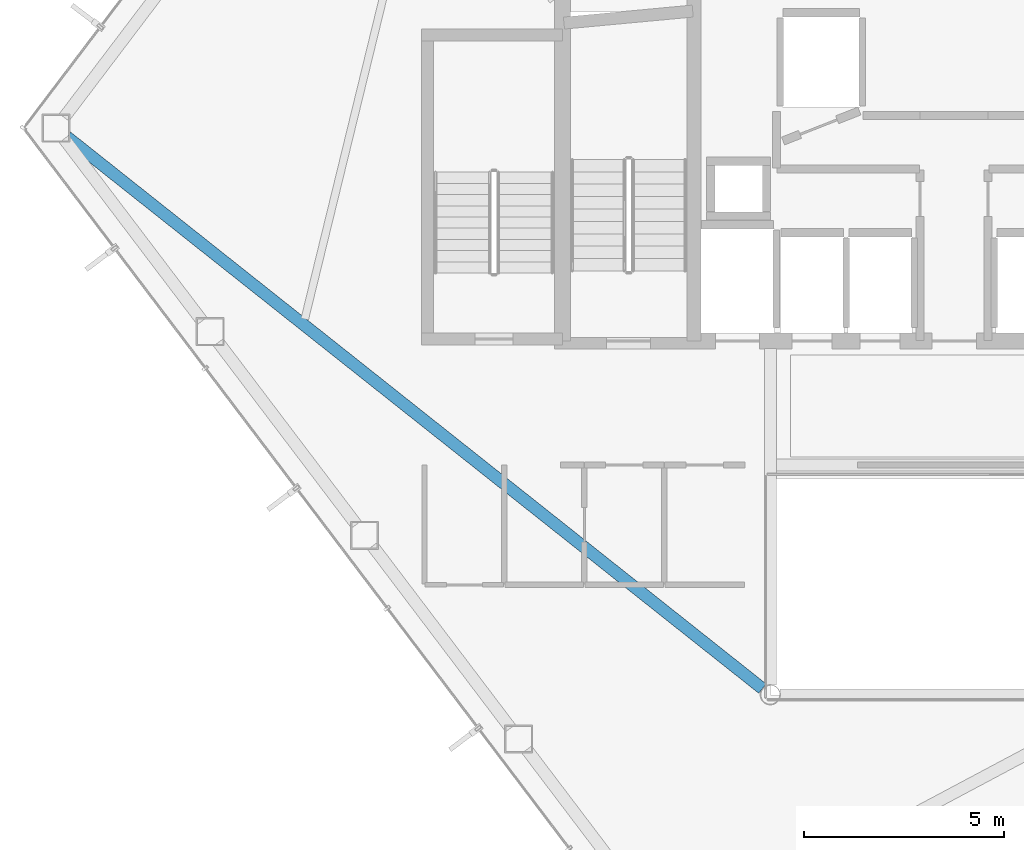
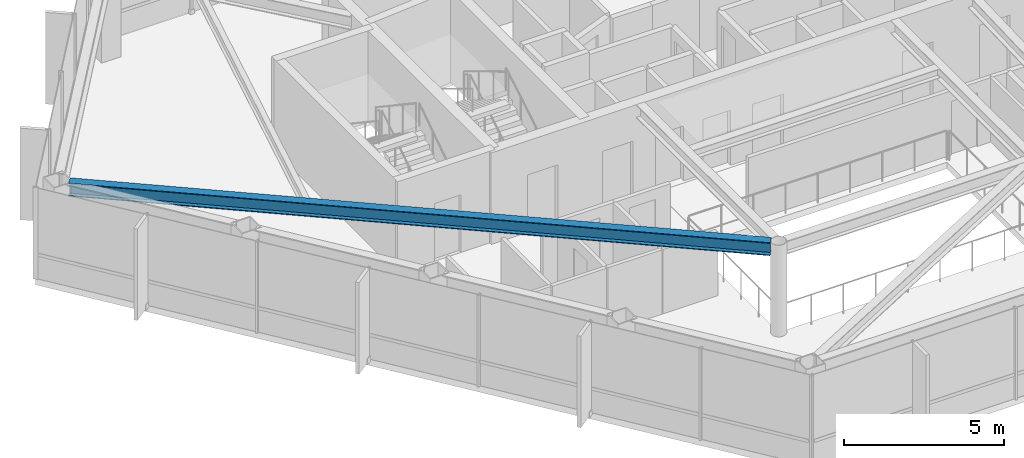
# One storey, part 5 of 27: 1 beam.
"""IFC4 building model written with IfcOpenShell, lengths in metres."""

from ifc_helpers import new_model, si_unit, direction, frame, origin, origin_2d, place, context, subcontext, project, spatial, i_section, extrude, material, material_profile, profile_set, type_object, element, save


model = new_model("IFC4")

# Units and contexts
model_context = context("Model", 3, precision=1e-05, world=origin(), true_north=direction((0.0, 1.0)))
body_context = subcontext(model_context, "Body", "Model", "MODEL_VIEW")
ifc_project = project(units=[si_unit("LENGTHUNIT", "METRE"), si_unit("AREAUNIT", "SQUARE_METRE"), si_unit("VOLUMEUNIT", "CUBIC_METRE"), si_unit("PLANEANGLEUNIT", "RADIAN"), si_unit("MASSUNIT", "GRAM", prefix="KILO")], contexts=[model_context])

# Site, building, storey
site_placement = place(None, origin())
site = spatial("IfcSite", under=ifc_project, at=site_placement, CompositionType="ELEMENT")
building_placement = place(site_placement, origin())
building = spatial("IfcBuilding", under=site, at=building_placement, Name="Zarrinselat Tower", CompositionType="ELEMENT")
storey_placement = place(building_placement, frame((0.0, 0.0, 179.52001953125)))
storey = spatial("IfcBuildingStorey", under=building, at=storey_placement, Name="L44", CompositionType="ELEMENT", Elevation=179.52001953125)

# Beam
ifc_material = material(Name="Steel S355J2", Category="steel")
ifc_material_profile = material_profile(ifc_material, i_section(OverallWidth=0.300048828125, OverallDepth=0.5, WebThickness=0.014404296875, FlangeThickness=0.028076171875, at=origin_2d()), Name="HEB 500")
ifc_profile_set = profile_set([ifc_material_profile], Name="Steel S355J2")
beam_type = type_object("IfcBeamType", Name="BM-HEB500", PredefinedType="BEAM", material=ifc_profile_set)
beam_placement = place(storey_placement, frame((16.21142578125, 38.352783203125, 3.25), z_axis=(0.783426410154, -0.62148456125, 0.0), x_axis=(0.62148456125, 0.783426410154, 0.0)))
element("IfcBeam", 1, at=beam_placement, inside=storey, type_object=beam_type, Name="L44 Radial Primary Girder RG06", PredefinedType="BEAM", context=body_context, shape_type="SweptSolid", body=[
    extrude(i_section(OverallWidth=0.300048828125, OverallDepth=0.5, WebThickness=0.014404296875, FlangeThickness=0.028076171875, at=origin_2d()), origin(), (0.0, 0.0, 1.0), 22.20068359375),
])

save(model, "model.ifc")
